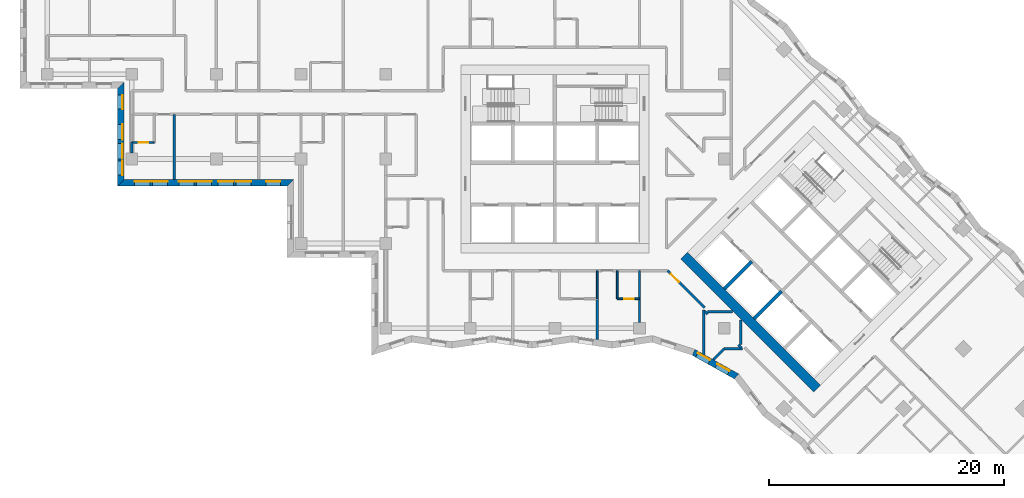
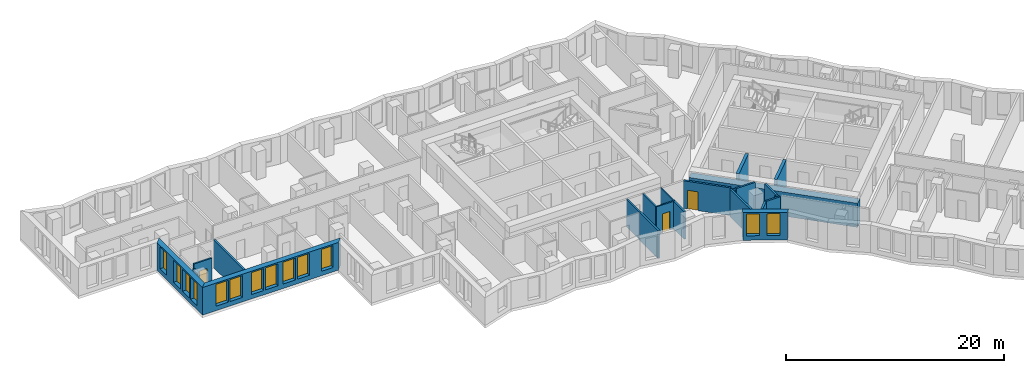
# One storey, part 3 of 13: 23 walls, 13 windows, 3 doors, 16 openings.
"""IFC4 building model written with IfcOpenShell, lengths in metres."""

from ifc_helpers import new_model, si_unit, direction, frame, frame_2d, origin, place, context, subcontext, project, spatial, polyline, rectangle, outline, extrude, material, layer, layer_set, type_object, element, fill, save


model = new_model("IFC4")

# Units and contexts
model_context = context("Model", 3, precision=1e-05, world=origin(), true_north=direction((0.0, 1.0)))
body_context = subcontext(model_context, "Body", "Model", "MODEL_VIEW")
ifc_project = project(units=[si_unit("LENGTHUNIT", "METRE"), si_unit("AREAUNIT", "SQUARE_METRE"), si_unit("VOLUMEUNIT", "CUBIC_METRE"), si_unit("PLANEANGLEUNIT", "RADIAN"), si_unit("MASSUNIT", "GRAM", prefix="KILO")], contexts=[model_context])

# Site, building, storey
site_placement = place(None, origin())
site = spatial("IfcSite", under=ifc_project, at=site_placement, CompositionType="ELEMENT")
building_placement = place(site_placement, origin())
building = spatial("IfcBuilding", under=site, at=building_placement, Name="Windrow Commons", CompositionType="ELEMENT")
storey_placement = place(building_placement, frame((0.0, 0.0, 105.0)))
storey = spatial("IfcBuildingStorey", under=building, at=storey_placement, Name="L28", CompositionType="ELEMENT", Elevation=105.0)

# Wall, openings, windows
ifc_material_1 = material(Name="Brick masonry, red clay brick", Category="masonry")
ifc_layer_1 = layer(ifc_material_1, 0.55)
ifc_layer_set_1 = layer_set([ifc_layer_1], Name="Brick facade wall 550")
wall_type_1 = type_object("IfcWallType", Name="Brick facade wall 550", PredefinedType="SOLIDWALL", material=ifc_layer_set_1)
wall_1_placement = place(storey_placement, frame((27.875, 63.875, 0.0), z_axis=(0.0, 0.0, 1.0), x_axis=(0.0, -1.0, 0.0)))
wall_1 = element("IfcWall", 1, at=wall_1_placement, inside=storey, type_object=wall_type_1, Name="Brick facade wall L28 39", PredefinedType="SOLIDWALL", context=body_context, shape_type="SweptSolid", body=[
    extrude(outline(polyline([(0.275, -0.275), (8.587, -0.275), (8.037, 0.275), (-0.275, 0.275), (0.275, -0.275)])), origin(), (0.0, 0.0, 1.0), 3.1),
])
opening_1_placement = place(wall_1_placement, frame((3.325, 0.0, 0.5)))
opening_1 = element("IfcOpeningElement", 2, at=opening_1_placement, cuts=wall_1, Name="Opening W1P", PredefinedType="OPENING", context=body_context, shape_type="SweptSolid", body=[
    extrude(rectangle(XDim=1.3, YDim=2.45, at=frame_2d((0.65, 1.225))), frame((0.0, 0.285, 0.0), z_axis=(0.0, -1.0, 0.0), x_axis=(1.0, 0.0, 0.0)), (0.0, 0.0, 1.0), 0.57),
])
opening_2_placement = place(wall_1_placement, frame((4.975, 0.0, 0.5)))
opening_2 = element("IfcOpeningElement", 3, at=opening_2_placement, cuts=wall_1, Name="Opening W1P", PredefinedType="OPENING", context=body_context, shape_type="SweptSolid", body=[
    extrude(rectangle(XDim=1.3, YDim=2.45, at=frame_2d((0.65, 1.225))), frame((0.0, 0.285, 0.0), z_axis=(0.0, -1.0, 0.0), x_axis=(1.0, 0.0, 0.0)), (0.0, 0.0, 1.0), 0.57),
])
opening_3_placement = place(wall_1_placement, frame((0.8375, 0.0, 0.5)))
opening_3 = element("IfcOpeningElement", 4, at=opening_3_placement, cuts=wall_1, Name="Opening W7D", PredefinedType="OPENING", context=body_context, shape_type="SweptSolid", body=[
    extrude(rectangle(XDim=1.2, YDim=2.45, at=frame_2d((0.6, 1.225))), frame((0.0, 0.285, 0.0), z_axis=(0.0, -1.0, 0.0), x_axis=(1.0, 0.0, 0.0)), (0.0, 0.0, 1.0), 0.57),
])
opening_4_placement = place(wall_1_placement, frame((6.456, 0.0, 0.5)))
opening_4 = element("IfcOpeningElement", 5, at=opening_4_placement, cuts=wall_1, Name="Opening W7D", PredefinedType="OPENING", context=body_context, shape_type="SweptSolid", body=[
    extrude(rectangle(XDim=1.2, YDim=2.45, at=frame_2d((0.6, 1.225))), frame((0.0, 0.285, 0.0), z_axis=(0.0, -1.0, 0.0), x_axis=(1.0, 0.0, 0.0)), (0.0, 0.0, 1.0), 0.57),
])
ifc_material_2 = material(Name="Clear float glass in anodised aluminium frame", Category="aluminium")
window_type_1 = type_object("IfcWindowType", Name="Window W1P pair 1300x2450", PartitioningType="SINGLE_PANEL", PredefinedType="WINDOW", material=ifc_material_2)
window_1_placement = place(opening_1_placement, origin())
window_1 = element("IfcWindow", 6, at=window_1_placement, inside=storey, type_object=window_type_1, Name="Window L28 39.1A", OverallHeight=2.45, OverallWidth=1.3, PartitioningType="SINGLE_PANEL", PredefinedType="WINDOW", context=body_context, shape_type="SweptSolid", body=[
    extrude(rectangle(XDim=1.3, YDim=2.45, at=frame_2d((0.65, 1.225))), frame((0.0, 0.155, 0.0), z_axis=(0.0, -1.0, 0.0), x_axis=(1.0, 0.0, 0.0)), (0.0, 0.0, 1.0), 0.06),
])
fill(opening_1, window_1)
window_2_placement = place(opening_2_placement, origin())
window_2 = element("IfcWindow", 7, at=window_2_placement, inside=storey, type_object=window_type_1, Name="Window L28 39.1B", OverallHeight=2.45, OverallWidth=1.3, PartitioningType="SINGLE_PANEL", PredefinedType="WINDOW", context=body_context, shape_type="SweptSolid", body=[
    extrude(rectangle(XDim=1.3, YDim=2.45, at=frame_2d((0.65, 1.225))), frame((0.0, 0.155, 0.0), z_axis=(0.0, -1.0, 0.0), x_axis=(1.0, 0.0, 0.0)), (0.0, 0.0, 1.0), 0.06),
])
fill(opening_2, window_2)
ifc_material_3 = material(Name="Clear float glass in anodised aluminium frame", Category="aluminium")
window_type_2 = type_object("IfcWindowType", Name="Window W7 notch 1200x2450", PartitioningType="SINGLE_PANEL", PredefinedType="WINDOW", material=ifc_material_3)
window_3_placement = place(opening_3_placement, origin())
window_3 = element("IfcWindow", 8, at=window_3_placement, inside=storey, type_object=window_type_2, Name="Window L28 39.2", OverallHeight=2.45, OverallWidth=1.2, PartitioningType="SINGLE_PANEL", PredefinedType="WINDOW", context=body_context, shape_type="SweptSolid", body=[
    extrude(rectangle(XDim=1.2, YDim=2.45, at=frame_2d((0.6, 1.225))), frame((0.0, 0.155, 0.0), z_axis=(0.0, -1.0, 0.0), x_axis=(1.0, 0.0, 0.0)), (0.0, 0.0, 1.0), 0.06),
])
fill(opening_3, window_3)
window_4_placement = place(opening_4_placement, origin())
window_4 = element("IfcWindow", 9, at=window_4_placement, inside=storey, type_object=window_type_2, Name="Window L28 39.3", OverallHeight=2.45, OverallWidth=1.2, PartitioningType="SINGLE_PANEL", PredefinedType="WINDOW", context=body_context, shape_type="SweptSolid", body=[
    extrude(rectangle(XDim=1.2, YDim=2.45, at=frame_2d((0.6, 1.225))), frame((0.0, 0.155, 0.0), z_axis=(0.0, -1.0, 0.0), x_axis=(1.0, 0.0, 0.0)), (0.0, 0.0, 1.0), 0.06),
])
fill(opening_4, window_4)

wall_2_placement = place(storey_placement, frame((27.875, 55.563, 0.0), z_axis=(0.0, 0.0, 1.0), x_axis=(1.0, 0.0, 0.0)))
wall_2 = element("IfcWall", 10, at=wall_2_placement, inside=storey, type_object=wall_type_1, Name="Brick facade wall L28 40", PredefinedType="SOLIDWALL", context=body_context, shape_type="SweptSolid", body=[
    extrude(outline(polyline([(-0.275, -0.275), (14.125, -0.275), (14.675, 0.275), (0.275, 0.275), (-0.275, -0.275)])), origin(), (0.0, 0.0, 1.0), 3.1),
])
opening_5_placement = place(wall_2_placement, frame((1.175, 0.0, 0.5)))
opening_5 = element("IfcOpeningElement", 11, at=opening_5_placement, cuts=wall_2, Name="Opening W1P", PredefinedType="OPENING", context=body_context, shape_type="SweptSolid", body=[
    extrude(rectangle(XDim=1.3, YDim=2.45, at=frame_2d((0.65, 1.225))), frame((0.0, 0.285, 0.0), z_axis=(0.0, -1.0, 0.0), x_axis=(1.0, 0.0, 0.0)), (0.0, 0.0, 1.0), 0.57),
])
opening_6_placement = place(wall_2_placement, frame((2.675, 0.0, 0.5)))
opening_6 = element("IfcOpeningElement", 12, at=opening_6_placement, cuts=wall_2, Name="Opening W1P", PredefinedType="OPENING", context=body_context, shape_type="SweptSolid", body=[
    extrude(rectangle(XDim=1.3, YDim=2.45, at=frame_2d((0.65, 1.225))), frame((0.0, 0.285, 0.0), z_axis=(0.0, -1.0, 0.0), x_axis=(1.0, 0.0, 0.0)), (0.0, 0.0, 1.0), 0.57),
])
opening_7_placement = place(wall_2_placement, frame((4.925, 0.0, 0.5)))
opening_7 = element("IfcOpeningElement", 13, at=opening_7_placement, cuts=wall_2, Name="Opening W1P", PredefinedType="OPENING", context=body_context, shape_type="SweptSolid", body=[
    extrude(rectangle(XDim=1.3, YDim=2.45, at=frame_2d((0.65, 1.225))), frame((0.0, 0.285, 0.0), z_axis=(0.0, -1.0, 0.0), x_axis=(1.0, 0.0, 0.0)), (0.0, 0.0, 1.0), 0.57),
])
opening_8_placement = place(wall_2_placement, frame((6.425, 0.0, 0.5)))
opening_8 = element("IfcOpeningElement", 14, at=opening_8_placement, cuts=wall_2, Name="Opening W1P", PredefinedType="OPENING", context=body_context, shape_type="SweptSolid", body=[
    extrude(rectangle(XDim=1.3, YDim=2.45, at=frame_2d((0.65, 1.225))), frame((0.0, 0.285, 0.0), z_axis=(0.0, -1.0, 0.0), x_axis=(1.0, 0.0, 0.0)), (0.0, 0.0, 1.0), 0.57),
])
opening_9_placement = place(wall_2_placement, frame((8.275, 0.0, 0.5)))
opening_9 = element("IfcOpeningElement", 15, at=opening_9_placement, cuts=wall_2, Name="Opening W1P", PredefinedType="OPENING", context=body_context, shape_type="SweptSolid", body=[
    extrude(rectangle(XDim=1.3, YDim=2.45, at=frame_2d((0.65, 1.225))), frame((0.0, 0.285, 0.0), z_axis=(0.0, -1.0, 0.0), x_axis=(1.0, 0.0, 0.0)), (0.0, 0.0, 1.0), 0.57),
])
opening_10_placement = place(wall_2_placement, frame((9.775, 0.0, 0.5)))
opening_10 = element("IfcOpeningElement", 16, at=opening_10_placement, cuts=wall_2, Name="Opening W1P", PredefinedType="OPENING", context=body_context, shape_type="SweptSolid", body=[
    extrude(rectangle(XDim=1.3, YDim=2.45, at=frame_2d((0.65, 1.225))), frame((0.0, 0.285, 0.0), z_axis=(0.0, -1.0, 0.0), x_axis=(1.0, 0.0, 0.0)), (0.0, 0.0, 1.0), 0.57),
])
opening_11_placement = place(wall_2_placement, frame((12.3625, 0.0, 0.5)))
opening_11 = element("IfcOpeningElement", 17, at=opening_11_placement, cuts=wall_2, Name="Opening W7D", PredefinedType="OPENING", context=body_context, shape_type="SweptSolid", body=[
    extrude(rectangle(XDim=1.2, YDim=2.45, at=frame_2d((0.6, 1.225))), frame((0.0, 0.285, 0.0), z_axis=(0.0, -1.0, 0.0), x_axis=(1.0, 0.0, 0.0)), (0.0, 0.0, 1.0), 0.57),
])
window_5_placement = place(opening_5_placement, origin())
window_5 = element("IfcWindow", 18, at=window_5_placement, inside=storey, type_object=window_type_1, Name="Window L28 40.1A", OverallHeight=2.45, OverallWidth=1.3, PartitioningType="SINGLE_PANEL", PredefinedType="WINDOW", context=body_context, shape_type="SweptSolid", body=[
    extrude(rectangle(XDim=1.3, YDim=2.45, at=frame_2d((0.65, 1.225))), frame((0.0, 0.155, 0.0), z_axis=(0.0, -1.0, 0.0), x_axis=(1.0, 0.0, 0.0)), (0.0, 0.0, 1.0), 0.06),
])
fill(opening_5, window_5)
window_6_placement = place(opening_6_placement, origin())
window_6 = element("IfcWindow", 19, at=window_6_placement, inside=storey, type_object=window_type_1, Name="Window L28 40.1B", OverallHeight=2.45, OverallWidth=1.3, PartitioningType="SINGLE_PANEL", PredefinedType="WINDOW", context=body_context, shape_type="SweptSolid", body=[
    extrude(rectangle(XDim=1.3, YDim=2.45, at=frame_2d((0.65, 1.225))), frame((0.0, 0.155, 0.0), z_axis=(0.0, -1.0, 0.0), x_axis=(1.0, 0.0, 0.0)), (0.0, 0.0, 1.0), 0.06),
])
fill(opening_6, window_6)
window_7_placement = place(opening_7_placement, origin())
window_7 = element("IfcWindow", 20, at=window_7_placement, inside=storey, type_object=window_type_1, Name="Window L28 40.2A", OverallHeight=2.45, OverallWidth=1.3, PartitioningType="SINGLE_PANEL", PredefinedType="WINDOW", context=body_context, shape_type="SweptSolid", body=[
    extrude(rectangle(XDim=1.3, YDim=2.45, at=frame_2d((0.65, 1.225))), frame((0.0, 0.155, 0.0), z_axis=(0.0, -1.0, 0.0), x_axis=(1.0, 0.0, 0.0)), (0.0, 0.0, 1.0), 0.06),
])
fill(opening_7, window_7)
window_8_placement = place(opening_8_placement, origin())
window_8 = element("IfcWindow", 21, at=window_8_placement, inside=storey, type_object=window_type_1, Name="Window L28 40.2B", OverallHeight=2.45, OverallWidth=1.3, PartitioningType="SINGLE_PANEL", PredefinedType="WINDOW", context=body_context, shape_type="SweptSolid", body=[
    extrude(rectangle(XDim=1.3, YDim=2.45, at=frame_2d((0.65, 1.225))), frame((0.0, 0.155, 0.0), z_axis=(0.0, -1.0, 0.0), x_axis=(1.0, 0.0, 0.0)), (0.0, 0.0, 1.0), 0.06),
])
fill(opening_8, window_8)
window_9_placement = place(opening_9_placement, origin())
window_9 = element("IfcWindow", 22, at=window_9_placement, inside=storey, type_object=window_type_1, Name="Window L28 40.3A", OverallHeight=2.45, OverallWidth=1.3, PartitioningType="SINGLE_PANEL", PredefinedType="WINDOW", context=body_context, shape_type="SweptSolid", body=[
    extrude(rectangle(XDim=1.3, YDim=2.45, at=frame_2d((0.65, 1.225))), frame((0.0, 0.155, 0.0), z_axis=(0.0, -1.0, 0.0), x_axis=(1.0, 0.0, 0.0)), (0.0, 0.0, 1.0), 0.06),
])
fill(opening_9, window_9)
window_10_placement = place(opening_10_placement, origin())
window_10 = element("IfcWindow", 23, at=window_10_placement, inside=storey, type_object=window_type_1, Name="Window L28 40.3B", OverallHeight=2.45, OverallWidth=1.3, PartitioningType="SINGLE_PANEL", PredefinedType="WINDOW", context=body_context, shape_type="SweptSolid", body=[
    extrude(rectangle(XDim=1.3, YDim=2.45, at=frame_2d((0.65, 1.225))), frame((0.0, 0.155, 0.0), z_axis=(0.0, -1.0, 0.0), x_axis=(1.0, 0.0, 0.0)), (0.0, 0.0, 1.0), 0.06),
])
fill(opening_10, window_10)
window_11_placement = place(opening_11_placement, origin())
window_11 = element("IfcWindow", 24, at=window_11_placement, inside=storey, type_object=window_type_2, Name="Window L28 40.4", OverallHeight=2.45, OverallWidth=1.2, PartitioningType="SINGLE_PANEL", PredefinedType="WINDOW", context=body_context, shape_type="SweptSolid", body=[
    extrude(rectangle(XDim=1.2, YDim=2.45, at=frame_2d((0.6, 1.225))), frame((0.0, 0.155, 0.0), z_axis=(0.0, -1.0, 0.0), x_axis=(1.0, 0.0, 0.0)), (0.0, 0.0, 1.0), 0.06),
])
fill(opening_11, window_11)

wall_3_placement = place(storey_placement, frame((76.6061, 41.1411, 0.0), z_axis=(0.0, 0.0, 1.0), x_axis=(0.8726248074, -0.4883911809, 0.0)))
wall_3 = element("IfcWall", 25, at=wall_3_placement, inside=storey, type_object=wall_type_1, Name="Brick facade wall L28 52", PredefinedType="SOLIDWALL", context=body_context, shape_type="SweptSolid", body=[
    extrude(outline(polyline([(0.0269, -0.275), (4.12, -0.275), (4.2327, 0.275), (-0.0269, 0.275), (0.0269, -0.275)])), origin(), (0.0, 0.0, 1.0), 3.1),
])
opening_12_placement = place(wall_3_placement, frame((0.3383, 0.0, 0.5)))
opening_12 = element("IfcOpeningElement", 26, at=opening_12_placement, cuts=wall_3, Name="Opening W7D", PredefinedType="OPENING", context=body_context, shape_type="SweptSolid", body=[
    extrude(rectangle(XDim=1.2, YDim=2.45, at=frame_2d((0.6, 1.225))), frame((0.0, 0.285, 0.0), z_axis=(0.0, -1.0, 0.0), x_axis=(1.0, 0.0, 0.0)), (0.0, 0.0, 1.0), 0.57),
])
opening_13_placement = place(wall_3_placement, frame((2.2265, 0.0, 0.5)))
opening_13 = element("IfcOpeningElement", 27, at=opening_13_placement, cuts=wall_3, Name="Opening W7D", PredefinedType="OPENING", context=body_context, shape_type="SweptSolid", body=[
    extrude(rectangle(XDim=1.2, YDim=2.45, at=frame_2d((0.6, 1.225))), frame((0.0, 0.285, 0.0), z_axis=(0.0, -1.0, 0.0), x_axis=(1.0, 0.0, 0.0)), (0.0, 0.0, 1.0), 0.57),
])
window_12_placement = place(opening_12_placement, origin())
window_12 = element("IfcWindow", 28, at=window_12_placement, inside=storey, type_object=window_type_2, Name="Window L28 52.1", OverallHeight=2.45, OverallWidth=1.2, PartitioningType="SINGLE_PANEL", PredefinedType="WINDOW", context=body_context, shape_type="SweptSolid", body=[
    extrude(rectangle(XDim=1.2, YDim=2.45, at=frame_2d((0.6, 1.225))), frame((0.0, 0.155, 0.0), z_axis=(0.0, -1.0, 0.0), x_axis=(1.0, 0.0, 0.0)), (0.0, 0.0, 1.0), 0.06),
])
fill(opening_12, window_12)
window_13_placement = place(opening_13_placement, origin())
window_13 = element("IfcWindow", 29, at=window_13_placement, inside=storey, type_object=window_type_2, Name="Window L28 52.2", OverallHeight=2.45, OverallWidth=1.2, PartitioningType="SINGLE_PANEL", PredefinedType="WINDOW", context=body_context, shape_type="SweptSolid", body=[
    extrude(rectangle(XDim=1.2, YDim=2.45, at=frame_2d((0.6, 1.225))), frame((0.0, 0.155, 0.0), z_axis=(0.0, -1.0, 0.0), x_axis=(1.0, 0.0, 0.0)), (0.0, 0.0, 1.0), 0.06),
])
fill(opening_13, window_13)

# Wall, opening, door
ifc_material_4 = material(Name="Blockwork partition", Category="masonry")
ifc_layer_2 = layer(ifc_material_4, 0.2)
ifc_layer_set_2 = layer_set([ifc_layer_2], Name="IW-CORRIDOR-200")
wall_type_2 = type_object("IfcWallType", Name="IW-CORRIDOR-200", PredefinedType="PARTITIONING", material=ifc_layer_set_2)
wall_4_placement = place(storey_placement, frame((74.3885, 48.0965, 0.0), z_axis=(0.0, 0.0, 1.0), x_axis=(0.7071067812, -0.7071067812, 0.0)))
wall_4 = element("IfcWall", 30, at=wall_4_placement, inside=storey, type_object=wall_type_2, Name="W-L28-W045", PredefinedType="PARTITIONING", context=body_context, shape_type="SweptSolid", body=[
    extrude(rectangle(XDim=4.4519, YDim=0.2, at=frame_2d((2.226, 0.0))), origin(), (0.0, 0.0, 1.0), 3.1),
])
opening_14_placement = place(wall_4_placement, frame((0.3818, 0.0, 0.0)))
opening_14 = element("IfcOpeningElement", 31, at=opening_14_placement, cuts=wall_4, Name="Opening D310F", PredefinedType="OPENING", context=body_context, shape_type="SweptSolid", body=[
    extrude(rectangle(XDim=1.0, YDim=2.1, at=frame_2d((0.5, 1.05))), frame((0.0, 0.11, 0.0), z_axis=(0.0, -1.0, 0.0), x_axis=(1.0, 0.0, 0.0)), (0.0, 0.0, 1.0), 0.22),
])
ifc_material_5 = material(Name="Timber door leaf", Category="wood")
door_type_1 = type_object("IfcDoorType", Name="DT-AMENITY-1000", OperationType="SINGLE_SWING_LEFT", PredefinedType="DOOR", material=ifc_material_5)
door_1_placement = place(opening_14_placement, origin())
door_1 = element("IfcDoor", 32, at=door_1_placement, inside=storey, type_object=door_type_1, Name="D-L28-D034", OperationType="SINGLE_SWING_LEFT", OverallHeight=2.1, OverallWidth=1.0, PredefinedType="DOOR", context=body_context, shape_type="SweptSolid", body=[
    extrude(rectangle(XDim=1.0, YDim=2.1, at=frame_2d((0.5, 1.05))), frame((0.0, 0.025, 0.0), z_axis=(0.0, -1.0, 0.0), x_axis=(1.0, 0.0, 0.0)), (0.0, 0.0, 1.0), 0.05),
])
fill(opening_14, door_1)

# Walls
for number, where, z_axis, x_axis, name in (
    (33, (77.802, 44.6, 0.0), (0.0, 0.0, 1.0), (1.0, 0.0, 0.0), "W-L28-W101"),
    (34, (80.6, 41.802, 0.0), (0.0, 0.0, 1.0), (0.0, 1.0, 0.0), "W-L28-W102"),
):
    element("IfcWall", number, at=place(storey_placement, frame(where, z_axis=z_axis, x_axis=x_axis)), inside=storey, type_object=wall_type_2, Name=name, PredefinedType="PARTITIONING", context=body_context, shape_type="SweptSolid", body=[
        extrude(rectangle(XDim=2.098, YDim=0.2, at=frame_2d((1.049, 0.0))), origin(), (0.0, 0.0, 1.0), 3.1),
    ])
for number, where, z_axis, x_axis, name in (
    (35, (77.5461, 44.6561, 0.0), (0.0, 0.0, 1.0), (0.7071067812, -0.7071067812, 0.0), "W-L28-W155"),
    (36, (80.4051, 41.7971, 0.0), (0.0, 0.0, 1.0), (0.7071067812, -0.7071067812, 0.0), "W-L28-W156"),
):
    element("IfcWall", number, at=place(storey_placement, frame(where, z_axis=z_axis, x_axis=x_axis)), inside=storey, type_object=wall_type_2, Name=name, PredefinedType="PARTITIONING", context=body_context, shape_type="SweptSolid", body=[
        extrude(rectangle(XDim=0.355, YDim=0.2, at=frame_2d((0.1775, 0.0))), origin(), (0.0, 0.0, 1.0), 3.1),
    ])
ifc_material_6 = material(Name="Blockwork partition", Category="masonry")
ifc_layer_3 = layer(ifc_material_6, 0.15)
ifc_layer_set_3 = layer_set([ifc_layer_3], Name="IW-ENSUITE-150")
wall_type_3 = type_object("IfcWallType", Name="IW-ENSUITE-150", PredefinedType="PARTITIONING", material=ifc_layer_set_3)
for number, where, z_axis, x_axis, name in (
    (37, (68.4, 45.7, 0.0), (0.0, 0.0, 1.0), (0.0, 1.0, 0.0), "W-L28-W089"),
    (38, (70.1, 45.7, 0.0), (0.0, 0.0, 1.0), (0.0, 1.0, 0.0), "W-L28-W090"),
    (39, (72.0, 45.7, 0.0), (0.0, 0.0, 1.0), (0.0, 1.0, 0.0), "W-L28-W091"),
):
    element("IfcWall", number, at=place(storey_placement, frame(where, z_axis=z_axis, x_axis=x_axis)), inside=storey, type_object=wall_type_3, Name=name, PredefinedType="PARTITIONING", context=body_context, shape_type="SweptSolid", body=[
        extrude(rectangle(XDim=2.4, YDim=0.15, at=frame_2d((1.2, 0.0))), origin(), (0.0, 0.0, 1.0), 3.1),
    ])

# Wall, opening, door
wall_5_placement = place(storey_placement, frame((70.1, 45.7, 0.0), z_axis=(0.0, 0.0, 1.0), x_axis=(1.0, 0.0, 0.0)))
wall_5 = element("IfcWall", 40, at=wall_5_placement, inside=storey, type_object=wall_type_3, Name="W-L28-W119", PredefinedType="PARTITIONING", context=body_context, shape_type="SweptSolid", body=[
    extrude(rectangle(XDim=1.9, YDim=0.15, at=frame_2d((0.95, 0.0))), origin(), (0.0, 0.0, 1.0), 3.1),
])
opening_15_placement = place(wall_5_placement, frame((0.5979, 0.0, 0.0)))
opening_15 = element("IfcOpeningElement", 41, at=opening_15_placement, cuts=wall_5, Name="Opening D208N", PredefinedType="OPENING", context=body_context, shape_type="SweptSolid", body=[
    extrude(rectangle(XDim=0.8, YDim=2.1, at=frame_2d((0.4, 1.05))), frame((0.0, 0.085, 0.0), z_axis=(0.0, -1.0, 0.0), x_axis=(1.0, 0.0, 0.0)), (0.0, 0.0, 1.0), 0.17),
])
ifc_material_7 = material(Name="Timber door leaf", Category="wood")
door_type_2 = type_object("IfcDoorType", Name="DT-ENSUITE-800", OperationType="SINGLE_SWING_LEFT", PredefinedType="DOOR", material=ifc_material_7)
door_2_placement = place(opening_15_placement, origin())
door_2 = element("IfcDoor", 42, at=door_2_placement, inside=storey, type_object=door_type_2, Name="D-L28-D033", OperationType="SINGLE_SWING_RIGHT", OverallHeight=2.1, OverallWidth=0.8, PredefinedType="DOOR", context=body_context, shape_type="SweptSolid", body=[
    extrude(rectangle(XDim=0.8, YDim=2.1, at=frame_2d((0.4, 1.05))), frame((0.0, 0.025, 0.0), z_axis=(0.0, -1.0, 0.0), x_axis=(1.0, 0.0, 0.0)), (0.0, 0.0, 1.0), 0.05),
])
fill(opening_15, door_2)

wall_6_placement = place(storey_placement, frame((28.8, 59.0, 0.0), z_axis=(0.0, 0.0, 1.0), x_axis=(1.0, 0.0, 0.0)))
wall_6 = element("IfcWall", 43, at=wall_6_placement, inside=storey, type_object=wall_type_3, Name="W-L28-W121", PredefinedType="PARTITIONING", context=body_context, shape_type="SweptSolid", body=[
    extrude(rectangle(XDim=1.9, YDim=0.15, at=frame_2d((0.95, 0.0))), origin(), (0.0, 0.0, 1.0), 3.1),
])
opening_16_placement = place(wall_6_placement, frame((0.6069, 0.0, 0.0)))
opening_16 = element("IfcOpeningElement", 44, at=opening_16_placement, cuts=wall_6, Name="Opening D208N", PredefinedType="OPENING", context=body_context, shape_type="SweptSolid", body=[
    extrude(rectangle(XDim=0.8, YDim=2.1, at=frame_2d((0.4, 1.05))), frame((0.0, 0.085, 0.0), z_axis=(0.0, -1.0, 0.0), x_axis=(1.0, 0.0, 0.0)), (0.0, 0.0, 1.0), 0.17),
])
door_3_placement = place(opening_16_placement, origin())
door_3 = element("IfcDoor", 45, at=door_3_placement, inside=storey, type_object=door_type_2, Name="D-L28-D005", OperationType="SINGLE_SWING_RIGHT", OverallHeight=2.1, OverallWidth=0.8, PredefinedType="DOOR", context=body_context, shape_type="SweptSolid", body=[
    extrude(rectangle(XDim=0.8, YDim=2.1, at=frame_2d((0.4, 1.05))), frame((0.0, 0.025, 0.0), z_axis=(0.0, -1.0, 0.0), x_axis=(1.0, 0.0, 0.0)), (0.0, 0.0, 1.0), 0.05),
])
fill(opening_16, door_3)

# Walls
ifc_material_8 = material(Name="Blockwork partition", Category="masonry")
ifc_layer_4 = layer(ifc_material_8, 0.2)
ifc_layer_set_4 = layer_set([ifc_layer_4], Name="IW-PARTY-200")
wall_type_4 = type_object("IfcWallType", Name="IW-PARTY-200", PredefinedType="PARTITIONING", material=ifc_layer_set_4)
wall_7_placement = place(storey_placement, frame((32.4, 55.838, 0.0), z_axis=(0.0, 0.0, 1.0), x_axis=(0.0, 1.0, 0.0)))
element("IfcWall", 46, at=wall_7_placement, inside=storey, type_object=wall_type_4, Name="W-L28-W034", PredefinedType="PARTITIONING", context=body_context, shape_type="SweptSolid", body=[
    extrude(rectangle(XDim=5.562, YDim=0.2, at=frame_2d((2.781, 0.0))), origin(), (0.0, 0.0, 1.0), 3.1),
])
wall_8_placement = place(storey_placement, frame((77.45, 40.9839, 0.0), z_axis=(0.0, 0.0, 1.0), x_axis=(0.0, 1.0, 0.0)))
element("IfcWall", 47, at=wall_8_placement, inside=storey, type_object=wall_type_4, Name="W-L28-W050", PredefinedType="PARTITIONING", context=body_context, shape_type="SweptSolid", body=[
    extrude(rectangle(XDim=3.7741, YDim=0.2, at=frame_2d((1.887, 0.0))), origin(), (0.0, 0.0, 1.0), 3.1),
])
wall_9_placement = place(storey_placement, frame((68.4, 42.235, 0.0), z_axis=(0.0, 0.0, 1.0), x_axis=(0.0, 1.0, 0.0)))
element("IfcWall", 48, at=wall_9_placement, inside=storey, type_object=wall_type_4, Name="W-L28-W054", PredefinedType="PARTITIONING", context=body_context, shape_type="SweptSolid", body=[
    extrude(rectangle(XDim=3.465, YDim=0.2, at=frame_2d((1.7325, 0.0))), origin(), (0.0, 0.0, 1.0), 3.1),
])
wall_10_placement = place(storey_placement, frame((72.0, 43.7, 0.0), z_axis=(0.0, 0.0, 1.0), x_axis=(0.0, 1.0, 0.0)))
element("IfcWall", 49, at=wall_10_placement, inside=storey, type_object=wall_type_4, Name="W-L28-W109", PredefinedType="PARTITIONING", context=body_context, shape_type="SweptSolid", body=[
    extrude(rectangle(XDim=2.0, YDim=0.2, at=frame_2d((1.0, 0.0))), origin(), (0.0, 0.0, 1.0), 3.1),
])
wall_11_placement = place(storey_placement, frame((79.198, 41.45, 0.0), z_axis=(0.0, 0.0, 1.0), x_axis=(1.0, 0.0, 0.0)))
element("IfcWall", 50, at=wall_11_placement, inside=storey, type_object=wall_type_4, Name="W-L28-W129", PredefinedType="PARTITIONING", context=body_context, shape_type="SweptSolid", body=[
    extrude(rectangle(XDim=1.56, YDim=0.2, at=frame_2d((0.78, 0.0))), origin(), (0.0, 0.0, 1.0), 3.1),
])
wall_12_placement = place(storey_placement, frame((78.2702, 40.5249, 0.0), z_axis=(0.0, 0.0, 1.0), x_axis=(0.7071449836, 0.7070685768, 0.0)))
element("IfcWall", 51, at=wall_12_placement, inside=storey, type_object=wall_type_4, Name="W-L28-W135", PredefinedType="PARTITIONING", context=body_context, shape_type="SweptSolid", body=[
    extrude(rectangle(XDim=1.3088, YDim=0.2, at=frame_2d((0.6544, 0.0))), origin(), (0.0, 0.0, 1.0), 3.1),
])
wall_13_placement = place(storey_placement, frame((28.8, 58.1, 0.0), z_axis=(0.0, 0.0, 1.0), x_axis=(0.0, 1.0, 0.0)))
element("IfcWall", 52, at=wall_13_placement, inside=storey, type_object=wall_type_4, Name="W-L28-W138", PredefinedType="PARTITIONING", context=body_context, shape_type="SweptSolid", body=[
    extrude(rectangle(XDim=0.9, YDim=0.2, at=frame_2d((0.45, 0.0))), origin(), (0.0, 0.0, 1.0), 2.6),
])
ifc_material_9 = material(Name="Concrete C50/60", Category="concrete")
ifc_layer_5 = layer(ifc_material_9, 0.8)
ifc_layer_set_5 = layer_set([ifc_layer_5], Name="RC CORE WALL 800 C50/60")
wall_type_5 = type_object("IfcWallType", Name="RC CORE WALL 800 C50/60", PredefinedType="SHEAR", material=ifc_layer_set_5)
wall_14_placement = place(storey_placement, frame((75.8059, 49.3726, -0.3), z_axis=(0.0, 0.0, 1.0), x_axis=(0.7071067812, -0.7071067812, 0.0)))
element("IfcWall", 53, at=wall_14_placement, inside=storey, type_object=wall_type_5, Name="Core B wall outer-S", PredefinedType="SHEAR", context=body_context, shape_type="SweptSolid", body=[
    extrude(rectangle(XDim=16.0, YDim=0.8, at=frame_2d((8.0, 0.0))), origin(), (0.0, 0.0, 1.0), 2.7),
])
ifc_material_10 = material(Name="Concrete C50/60", Category="concrete")
ifc_layer_6 = layer(ifc_material_10, 0.3)
ifc_layer_set_6 = layer_set([ifc_layer_6], Name="RC SHAFT WALL 300 C50/60")
wall_type_6 = type_object("IfcWallType", Name="RC SHAFT WALL 300 C50/60", PredefinedType="SOLIDWALL", material=ifc_layer_set_6)
wall_15_placement = place(storey_placement, frame((79.2, 46.5442, 0.0), z_axis=(0.0, 0.0, 1.0), x_axis=(0.7071219326, 0.7070916295, 0.0)))
element("IfcWall", 54, at=wall_15_placement, inside=storey, type_object=wall_type_6, Name="Core B wall shaft-S1", PredefinedType="SOLIDWALL", context=body_context, shape_type="SweptSolid", body=[
    extrude(rectangle(XDim=3.3, YDim=0.3, at=frame_2d((1.65, 0.0))), origin(), (0.0, 0.0, 1.0), 3.1),
])
wall_16_placement = place(storey_placement, frame((81.7456, 43.9986, 0.0), z_axis=(0.0, 0.0, 1.0), x_axis=(0.7071067812, 0.7071067812, 0.0)))
element("IfcWall", 55, at=wall_16_placement, inside=storey, type_object=wall_type_6, Name="Core B wall shaft-S2", PredefinedType="SOLIDWALL", context=body_context, shape_type="SweptSolid", body=[
    extrude(rectangle(XDim=3.2999, YDim=0.3, at=frame_2d((1.65, 0.0))), origin(), (0.0, 0.0, 1.0), 3.1),
])

save(model, "model.ifc")
